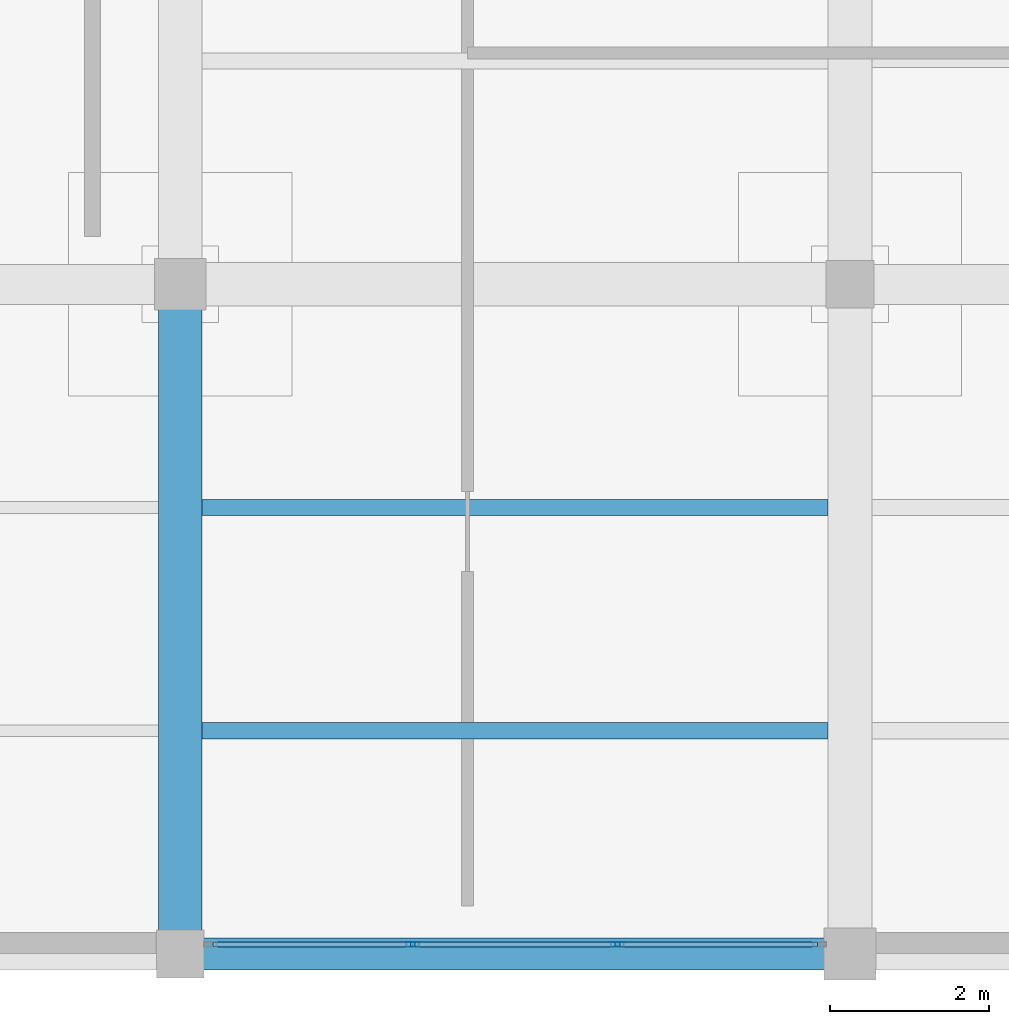
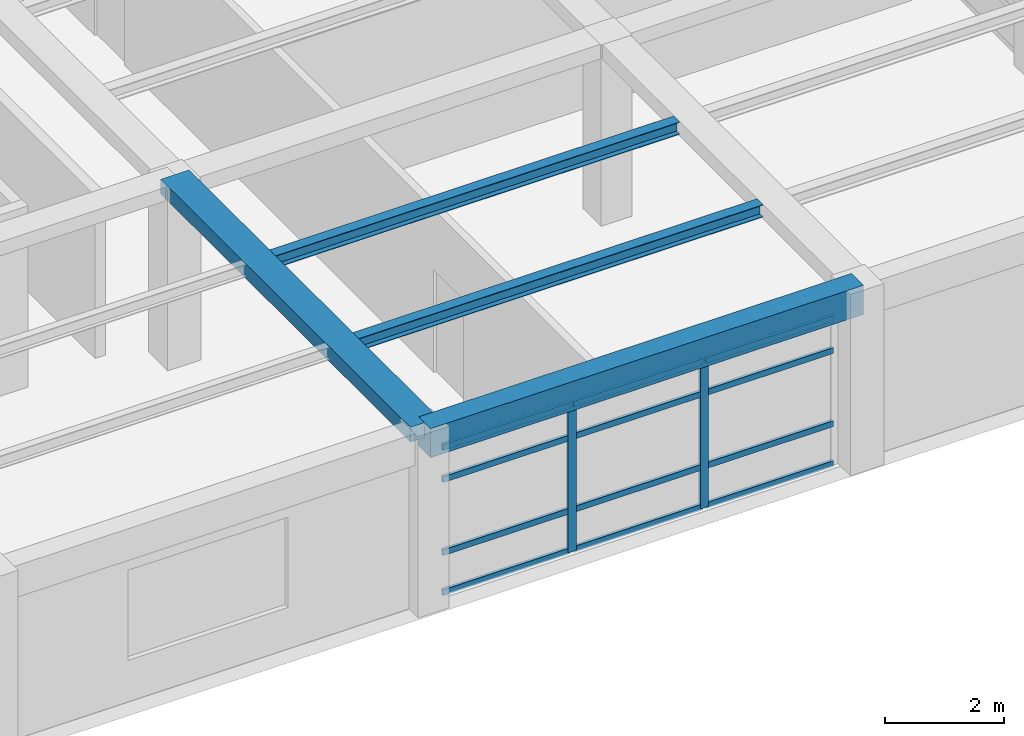
# One storey, part 7 of 26: 14 members, 4 beams, 1 element without a shape of its own.
"""IFC4 building model written with IfcOpenShell, lengths in metres."""

from ifc_helpers import new_model, si_unit, direction, frame, origin, origin_2d, place, context, subcontext, project, spatial, rectangle, hollow_rectangle, i_section, extrude, material, material_profile, profile_set, type_object, element, aggregate, save


model = new_model("IFC4")

# Units and contexts
model_context = context("Model", 3, precision=1e-05, world=origin(), true_north=direction((0.0, 1.0)))
body_context = subcontext(model_context, "Body", "Model", "MODEL_VIEW")
ifc_project = project(units=[si_unit("LENGTHUNIT", "METRE"), si_unit("AREAUNIT", "SQUARE_METRE"), si_unit("VOLUMEUNIT", "CUBIC_METRE"), si_unit("PLANEANGLEUNIT", "RADIAN"), si_unit("MASSUNIT", "GRAM", prefix="KILO")], contexts=[model_context])

# Site, building, storey
site_placement = place(None, origin())
site = spatial("IfcSite", under=ifc_project, at=site_placement, CompositionType="ELEMENT")
building_placement = place(site_placement, origin())
building = spatial("IfcBuilding", under=site, at=building_placement, Name="Almacenes y Pasaje Nevantli", CompositionType="ELEMENT")
storey_placement = place(building_placement, frame((0.0, 0.0, 54.699951171875)))
storey = spatial("IfcBuildingStorey", under=building, at=storey_placement, Name="L13", CompositionType="ELEMENT", Elevation=54.699951171875)

# Beams
ifc_material_1 = material(Name="Concrete C35/45", Category="concrete")
ifc_material_profile_1 = material_profile(ifc_material_1, rectangle(XDim=0.39990234375, YDim=0.60009765625, at=origin_2d()), Name="RC-BM-400x600")
ifc_profile_set_1 = profile_set([ifc_material_profile_1], Name="Concrete C35/45")
beam_type_1 = type_object("IfcBeamType", Name="BM-RC-400x600", PredefinedType="SPANDREL", material=ifc_profile_set_1)
beam_1_placement = place(storey_placement, frame((142.800048828125, 67.199951171875, 3.420166015625), z_axis=(1.0, 0.0, 0.0), x_axis=(0.0, 1.0, 0.0)))
element("IfcBeam", 1, at=beam_1_placement, inside=storey, type_object=beam_type_1, Name="L13 East-West Reinforced Concrete Beam #3941", PredefinedType="SPANDREL", context=body_context, shape_type="SweptSolid", body=[
    extrude(rectangle(XDim=0.39990234375, YDim=0.60009765625, at=origin_2d()), origin(), (0.0, 0.0, 1.0), 8.39990234375),
])
ifc_material_2 = material(Name="Concrete C35/45", Category="concrete")
ifc_material_profile_2 = material_profile(ifc_material_2, rectangle(XDim=0.550048828125, YDim=0.300048828125, at=origin_2d()), Name="RC-BM-550x300")
ifc_profile_set_2 = profile_set([ifc_material_profile_2], Name="Concrete C35/45")
beam_type_2 = type_object("IfcBeamType", Name="BM-RC-550x300", PredefinedType="BEAM", material=ifc_profile_set_2)
beam_2_placement = place(storey_placement, frame((142.800048828125, 67.199951171875, 3.570068359375), z_axis=(0.0, 1.0, 0.0), x_axis=(-1.0, 0.0, 0.0)))
element("IfcBeam", 2, at=beam_2_placement, inside=storey, type_object=beam_type_2, Name="L13 North-South Reinforced Concrete Beam #3973", PredefinedType="BEAM", context=body_context, shape_type="SweptSolid", body=[
    extrude(rectangle(XDim=0.550048828125, YDim=0.300048828125, at=origin_2d()), origin(), (0.0, 0.0, 1.0), 8.400146484375),
])
ifc_material_3 = material(Name="Steel ASTM A992", Category="steel")
ifc_material_profile_3 = material_profile(ifc_material_3, i_section(OverallWidth=0.202880859375, OverallDepth=0.25390625, WebThickness=0.00732421875, FlangeThickness=0.010986328125, at=origin_2d()), Name="IR 254x49.1")
ifc_profile_set_3 = profile_set([ifc_material_profile_3], Name="Steel ASTM A992")
beam_type_3 = type_object("IfcBeamType", Name="BM-STL-IR-254x49p1", PredefinedType="JOIST", material=ifc_profile_set_3)
for number, where, z_axis, x_axis, name in (
    (3, (143.074951171875, 70.0, 3.5849609375), (1.0, 0.0, 0.0), (0.0, 1.0, 0.0), "L13 Secondary Steel Floor Joist #1577"),
    (4, (143.074951171875, 72.800048828125, 3.5849609375), (1.0, 0.0, 0.0), (0.0, 1.0, 0.0), "L13 Secondary Steel Floor Joist #1578"),
):
    element("IfcBeam", number, at=place(storey_placement, frame(where, z_axis=z_axis, x_axis=x_axis)), inside=storey, type_object=beam_type_3, Name=name, PredefinedType="JOIST", context=body_context, shape_type="SweptSolid", body=[
        extrude(i_section(OverallWidth=0.202880859375, OverallDepth=0.25390625, WebThickness=0.00732421875, FlangeThickness=0.010986328125, at=origin_2d()), origin(), (0.0, 0.0, 1.0), 7.85009765625),
    ])

# Curtain wall, members
ifc_material_4 = material(Name="Thermally Broken Aluminium and Low-E Glass", Category="aluminium")
curtain_wall_type = type_object("IfcCurtainWallType", Name="CW-UNIT-TOWER", PredefinedType="USERDEFINED", material=ifc_material_4)
curtain_wall_placement = place(storey_placement, origin())
curtain_wall = element("IfcCurtainWall", 5, at=curtain_wall_placement, inside=storey, type_object=curtain_wall_type, Name="L13 Tower South Unitized Curtain Wall Bay 18", ObjectType="UNITIZED CURTAIN WALL", PredefinedType="USERDEFINED")
ifc_material_5 = material(Name="Thermally Broken Anodized Aluminium", Category="aluminium")
ifc_material_profile_4 = material_profile(ifc_material_5, hollow_rectangle(XDim=0.06005859375, YDim=0.159912109375, WallThickness=0.00390625, at=origin_2d()), Name="ALU-MUL-60x160")
ifc_profile_set_4 = profile_set([ifc_material_profile_4], Name="Thermally Broken Anodized Aluminium")
member_type_1 = type_object("IfcMemberType", Name="CW-MUL-180", PredefinedType="MULLION", material=ifc_profile_set_4)
member_1_placement = place(storey_placement, frame((145.716552734375, 67.320068359375, 0.0), z_axis=(0.0, 0.0, 1.0), x_axis=(0.0, 1.0, 0.0)))
member_1 = element("IfcMember", 6, at=member_1_placement, type_object=member_type_1, Name="CW-L13-171 mullion 2", PredefinedType="MULLION", context=body_context, shape_type="SweptSolid", body=[
    extrude(hollow_rectangle(XDim=0.06005859375, YDim=0.159912109375, WallThickness=0.00390625, at=origin_2d()), origin(), (0.0, 0.0, 1.0), 3.0400390625),
])
member_2_placement = place(storey_placement, frame((148.283447265625, 67.320068359375, 0.0), z_axis=(0.0, 0.0, 1.0), x_axis=(0.0, 1.0, 0.0)))
member_2 = element("IfcMember", 7, at=member_2_placement, type_object=member_type_1, Name="CW-L13-171 mullion 3", PredefinedType="MULLION", context=body_context, shape_type="SweptSolid", body=[
    extrude(hollow_rectangle(XDim=0.06005859375, YDim=0.159912109375, WallThickness=0.00390625, at=origin_2d()), origin(), (0.0, 0.0, 1.0), 3.0400390625),
])
ifc_material_6 = material(Name="Thermally Broken Anodized Aluminium", Category="aluminium")
ifc_material_profile_5 = material_profile(ifc_material_6, hollow_rectangle(XDim=0.06005859375, YDim=0.1201171875, WallThickness=0.00341796875, at=origin_2d()), Name="ALU-TRN-60x120")
ifc_profile_set_5 = profile_set([ifc_material_profile_5], Name="Thermally Broken Anodized Aluminium")
member_type_2 = type_object("IfcMemberType", Name="CW-TRN-130", PredefinedType="USERDEFINED", material=ifc_profile_set_5)
member_3_placement = place(storey_placement, frame((143.2099609375, 67.320068359375, 0.030029296875), z_axis=(1.0, 0.0, 0.0), x_axis=(0.0, 1.0, 0.0)))
member_3 = element("IfcMember", 8, at=member_3_placement, type_object=member_type_2, Name="CW-L13-171 transom 1.1", ObjectType="TRANSOM", PredefinedType="USERDEFINED", context=body_context, shape_type="SweptSolid", body=[
    extrude(hollow_rectangle(XDim=0.06005859375, YDim=0.1201171875, WallThickness=0.00341796875, at=origin_2d()), origin(), (0.0, 0.0, 1.0), 2.476806640625),
])
member_4_placement = place(storey_placement, frame((143.2099609375, 67.320068359375, 0.85009765625), z_axis=(1.0, 0.0, 0.0), x_axis=(0.0, 1.0, 0.0)))
member_4 = element("IfcMember", 9, at=member_4_placement, type_object=member_type_2, Name="CW-L13-171 transom 1.2", ObjectType="TRANSOM", PredefinedType="USERDEFINED", context=body_context, shape_type="SweptSolid", body=[
    extrude(hollow_rectangle(XDim=0.06005859375, YDim=0.1201171875, WallThickness=0.00341796875, at=origin_2d()), origin(), (0.0, 0.0, 1.0), 2.476806640625),
])
member_5_placement = place(storey_placement, frame((143.2099609375, 67.320068359375, 2.35009765625), z_axis=(1.0, 0.0, 0.0), x_axis=(0.0, 1.0, 0.0)))
member_5 = element("IfcMember", 10, at=member_5_placement, type_object=member_type_2, Name="CW-L13-171 transom 1.3", ObjectType="TRANSOM", PredefinedType="USERDEFINED", context=body_context, shape_type="SweptSolid", body=[
    extrude(hollow_rectangle(XDim=0.06005859375, YDim=0.1201171875, WallThickness=0.00341796875, at=origin_2d()), origin(), (0.0, 0.0, 1.0), 2.476806640625),
])
member_6_placement = place(storey_placement, frame((143.2099609375, 67.320068359375, 3.010009765625), z_axis=(1.0, 0.0, 0.0), x_axis=(0.0, 1.0, 0.0)))
member_6 = element("IfcMember", 11, at=member_6_placement, type_object=member_type_2, Name="CW-L13-171 transom 1.4", ObjectType="TRANSOM", PredefinedType="USERDEFINED", context=body_context, shape_type="SweptSolid", body=[
    extrude(hollow_rectangle(XDim=0.06005859375, YDim=0.1201171875, WallThickness=0.00341796875, at=origin_2d()), origin(), (0.0, 0.0, 1.0), 2.476806640625),
])
member_7_placement = place(storey_placement, frame((145.74658203125, 67.320068359375, 0.030029296875), z_axis=(1.0, 0.0, 0.0), x_axis=(0.0, 1.0, 0.0)))
member_7 = element("IfcMember", 12, at=member_7_placement, type_object=member_type_2, Name="CW-L13-171 transom 2.1", ObjectType="TRANSOM", PredefinedType="USERDEFINED", context=body_context, shape_type="SweptSolid", body=[
    extrude(hollow_rectangle(XDim=0.06005859375, YDim=0.1201171875, WallThickness=0.00341796875, at=origin_2d()), origin(), (0.0, 0.0, 1.0), 2.5068359375),
])
member_8_placement = place(storey_placement, frame((145.74658203125, 67.320068359375, 0.85009765625), z_axis=(1.0, 0.0, 0.0), x_axis=(0.0, 1.0, 0.0)))
member_8 = element("IfcMember", 13, at=member_8_placement, type_object=member_type_2, Name="CW-L13-171 transom 2.2", ObjectType="TRANSOM", PredefinedType="USERDEFINED", context=body_context, shape_type="SweptSolid", body=[
    extrude(hollow_rectangle(XDim=0.06005859375, YDim=0.1201171875, WallThickness=0.00341796875, at=origin_2d()), origin(), (0.0, 0.0, 1.0), 2.5068359375),
])
member_9_placement = place(storey_placement, frame((145.74658203125, 67.320068359375, 2.35009765625), z_axis=(1.0, 0.0, 0.0), x_axis=(0.0, 1.0, 0.0)))
member_9 = element("IfcMember", 14, at=member_9_placement, type_object=member_type_2, Name="CW-L13-171 transom 2.3", ObjectType="TRANSOM", PredefinedType="USERDEFINED", context=body_context, shape_type="SweptSolid", body=[
    extrude(hollow_rectangle(XDim=0.06005859375, YDim=0.1201171875, WallThickness=0.00341796875, at=origin_2d()), origin(), (0.0, 0.0, 1.0), 2.5068359375),
])
member_10_placement = place(storey_placement, frame((145.74658203125, 67.320068359375, 3.010009765625), z_axis=(1.0, 0.0, 0.0), x_axis=(0.0, 1.0, 0.0)))
member_10 = element("IfcMember", 15, at=member_10_placement, type_object=member_type_2, Name="CW-L13-171 transom 2.4", ObjectType="TRANSOM", PredefinedType="USERDEFINED", context=body_context, shape_type="SweptSolid", body=[
    extrude(hollow_rectangle(XDim=0.06005859375, YDim=0.1201171875, WallThickness=0.00341796875, at=origin_2d()), origin(), (0.0, 0.0, 1.0), 2.5068359375),
])
member_11_placement = place(storey_placement, frame((148.313232421875, 67.320068359375, 0.030029296875), z_axis=(1.0, 0.0, 0.0), x_axis=(0.0, 1.0, 0.0)))
member_11 = element("IfcMember", 16, at=member_11_placement, type_object=member_type_2, Name="CW-L13-171 transom 3.1", ObjectType="TRANSOM", PredefinedType="USERDEFINED", context=body_context, shape_type="SweptSolid", body=[
    extrude(hollow_rectangle(XDim=0.06005859375, YDim=0.1201171875, WallThickness=0.00341796875, at=origin_2d()), origin(), (0.0, 0.0, 1.0), 2.476806640625),
])
member_12_placement = place(storey_placement, frame((148.313232421875, 67.320068359375, 0.85009765625), z_axis=(1.0, 0.0, 0.0), x_axis=(0.0, 1.0, 0.0)))
member_12 = element("IfcMember", 17, at=member_12_placement, type_object=member_type_2, Name="CW-L13-171 transom 3.2", ObjectType="TRANSOM", PredefinedType="USERDEFINED", context=body_context, shape_type="SweptSolid", body=[
    extrude(hollow_rectangle(XDim=0.06005859375, YDim=0.1201171875, WallThickness=0.00341796875, at=origin_2d()), origin(), (0.0, 0.0, 1.0), 2.476806640625),
])
member_13_placement = place(storey_placement, frame((148.313232421875, 67.320068359375, 2.35009765625), z_axis=(1.0, 0.0, 0.0), x_axis=(0.0, 1.0, 0.0)))
member_13 = element("IfcMember", 18, at=member_13_placement, type_object=member_type_2, Name="CW-L13-171 transom 3.3", ObjectType="TRANSOM", PredefinedType="USERDEFINED", context=body_context, shape_type="SweptSolid", body=[
    extrude(hollow_rectangle(XDim=0.06005859375, YDim=0.1201171875, WallThickness=0.00341796875, at=origin_2d()), origin(), (0.0, 0.0, 1.0), 2.476806640625),
])
member_14_placement = place(storey_placement, frame((148.313232421875, 67.320068359375, 3.010009765625), z_axis=(1.0, 0.0, 0.0), x_axis=(0.0, 1.0, 0.0)))
member_14 = element("IfcMember", 19, at=member_14_placement, type_object=member_type_2, Name="CW-L13-171 transom 3.4", ObjectType="TRANSOM", PredefinedType="USERDEFINED", context=body_context, shape_type="SweptSolid", body=[
    extrude(hollow_rectangle(XDim=0.06005859375, YDim=0.1201171875, WallThickness=0.00341796875, at=origin_2d()), origin(), (0.0, 0.0, 1.0), 2.476806640625),
])
aggregate(curtain_wall, [member_1, member_2, member_3, member_4, member_5, member_6, member_7, member_8, member_9, member_10, member_11, member_12, member_13, member_14])

save(model, "model.ifc")
